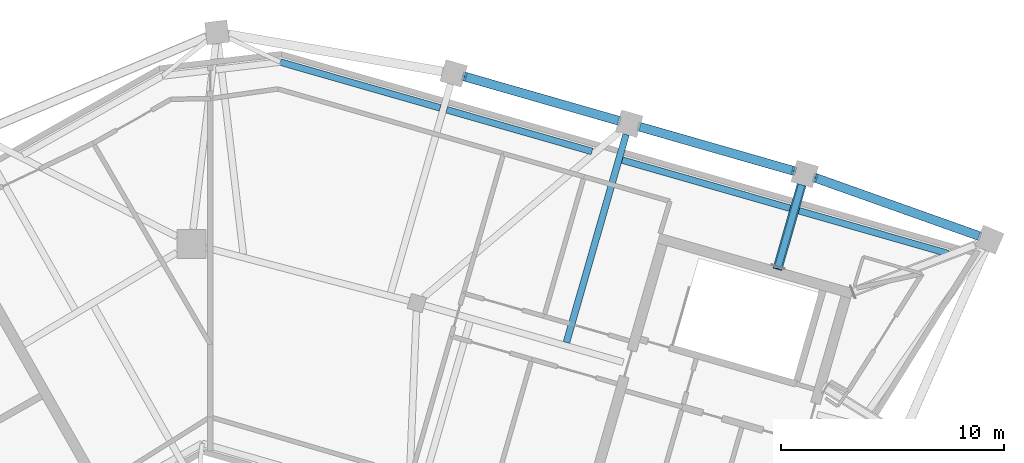
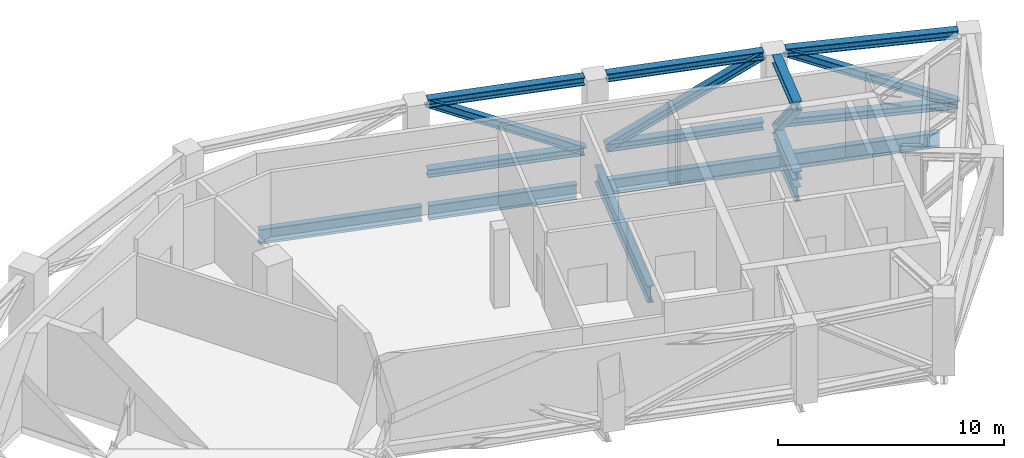
# One storey, part 4 of 13: 12 members, 6 beams.
"""IFC4 building model written with IfcOpenShell, lengths in metres."""

from ifc_helpers import new_model, si_unit, direction, frame, origin, origin_2d, place, context, subcontext, project, spatial, i_section, extrude, material, material_profile, profile_set, type_object, element, save


model = new_model("IFC4")

# Units and contexts
model_context = context("Model", 3, precision=1e-05, world=origin(), true_north=direction((0.0, 1.0)))
body_context = subcontext(model_context, "Body", "Model", "MODEL_VIEW")
ifc_project = project(units=[si_unit("LENGTHUNIT", "METRE"), si_unit("AREAUNIT", "SQUARE_METRE"), si_unit("VOLUMEUNIT", "CUBIC_METRE"), si_unit("PLANEANGLEUNIT", "RADIAN"), si_unit("MASSUNIT", "GRAM", prefix="KILO")], contexts=[model_context])

# Site, building, storey
site_placement = place(None, origin())
site = spatial("IfcSite", under=ifc_project, at=site_placement, CompositionType="ELEMENT")
building_placement = place(site_placement, origin())
building = spatial("IfcBuilding", under=site, at=building_placement, Name="Binnacle Exchange Tower", CompositionType="ELEMENT")
storey_placement = place(building_placement, frame((0.0, 0.0, 258.199951171875)))
storey = spatial("IfcBuildingStorey", under=building, at=storey_placement, Name="L57", CompositionType="ELEMENT", Elevation=258.199951171875)

# Members
ifc_material_1 = material(Name="Steel S355 (SHN355)", Category="steel")
ifc_material_profile_1 = material_profile(ifc_material_1, i_section(OverallWidth=0.406982421875, OverallDepth=0.427978515625, WebThickness=0.02001953125, FlangeThickness=0.034912109375, FilletRadius=0.02197265625, at=origin_2d()), Name="H 428x407x20x35")
ifc_profile_set_1 = profile_set([ifc_material_profile_1], Name="Steel S355 (SHN355)")
member_type_1 = type_object("IfcMemberType", Name="Belt truss chord BT57C H 428x407x20x35 Steel S355 (SHN355)", PredefinedType="CHORD", material=ifc_profile_set_1)
for number, where, z_axis, x_axis, name in (
    (1, (34.3984375, 60.3544921875, 4.006103515625), (-0.942323270608, 0.334704128553, 0.0), (-0.334704128553, -0.942323270608, 0.0), "S:TR:L57:BEL:031"),
    (2, (34.3984375, 60.3544921875, 0.214111328125), (-0.942323270608, 0.334704128553, 0.0), (-0.334704128553, -0.942323270608, 0.0), "S:TR:L57:BEL:032"),
):
    element("IfcMember", number, at=place(storey_placement, frame(where, z_axis=z_axis, x_axis=x_axis)), inside=storey, type_object=member_type_1, Name=name, PredefinedType="CHORD", context=body_context, shape_type="SweptSolid", body=[
        extrude(i_section(OverallWidth=0.406982421875, OverallDepth=0.427978515625, WebThickness=0.02001953125, FlangeThickness=0.034912109375, FilletRadius=0.02197265625, at=origin_2d()), origin(), (0.0, 0.0, 1.0), 7.77197265625),
    ])
for number, where, z_axis, x_axis, name in (
    (3, (26.1220703125, 63.26123046875, 4.006103515625), (-0.96126665508, 0.275620060647, 0.0), (-0.275620060647, -0.96126665508, 0.0), "S:TR:L57:BEL:034"),
    (4, (26.1220703125, 63.26123046875, 0.214111328125), (-0.96126665508, 0.275620060647, 0.0), (-0.275620060647, -0.96126665508, 0.0), "S:TR:L57:BEL:035"),
):
    element("IfcMember", number, at=place(storey_placement, frame(where, z_axis=z_axis, x_axis=x_axis)), inside=storey, type_object=member_type_1, Name=name, PredefinedType="CHORD", context=body_context, shape_type="SweptSolid", body=[
        extrude(i_section(OverallWidth=0.406982421875, OverallDepth=0.427978515625, WebThickness=0.02001953125, FlangeThickness=0.034912109375, FilletRadius=0.02197265625, at=origin_2d()), origin(), (0.0, 0.0, 1.0), 7.173095703125),
    ])
for number, where, z_axis, x_axis, name in (
    (5, (18.265625, 65.513916015625, 4.006103515625), (-0.961255050864, 0.275660528891, 0.0), (-0.275660528891, -0.961255050864, 0.0), "S:TR:L57:BEL:037"),
    (6, (18.265625, 65.513916015625, 0.214111328125), (-0.961255050864, 0.275660528891, 0.0), (-0.275660528891, -0.961255050864, 0.0), "S:TR:L57:BEL:038"),
):
    element("IfcMember", number, at=place(storey_placement, frame(where, z_axis=z_axis, x_axis=x_axis)), inside=storey, type_object=member_type_1, Name=name, PredefinedType="CHORD", context=body_context, shape_type="SweptSolid", body=[
        extrude(i_section(OverallWidth=0.406982421875, OverallDepth=0.427978515625, WebThickness=0.02001953125, FlangeThickness=0.034912109375, FilletRadius=0.02197265625, at=origin_2d()), origin(), (0.0, 0.0, 1.0), 7.1728515625),
    ])
ifc_material_profile_2 = material_profile(ifc_material_1, i_section(OverallWidth=0.39990234375, OverallDepth=0.39990234375, WebThickness=0.012939453125, FlangeThickness=0.02099609375, FilletRadius=0.02197265625, at=origin_2d()), Name="H 400x400x13x21")
ifc_profile_set_2 = profile_set([ifc_material_profile_2], Name="Steel S355 (SHN355)")
member_type_2 = type_object("IfcMemberType", Name="Belt truss diagonal BT57D H 400x400x13x21 Steel S355 (SHN355)", PredefinedType="BRACE", material=ifc_profile_set_2)
member_1_placement = place(storey_placement, frame((34.3984375, 60.3544921875, 0.214111328125), z_axis=(-0.846897108322, 0.300809676951, 0.438496095955), x_axis=(-0.334704128553, -0.942323270608, 0.0)))
element("IfcMember", 7, at=member_1_placement, inside=storey, type_object=member_type_2, Name="S:TR:L57:BEL:033", PredefinedType="BRACE", context=body_context, shape_type="SweptSolid", body=[
    extrude(i_section(OverallWidth=0.39990234375, OverallDepth=0.39990234375, WebThickness=0.012939453125, FlangeThickness=0.02099609375, FilletRadius=0.02197265625, at=origin_2d()), origin(), (0.0, 0.0, 1.0), 8.647705078125),
])
member_2_placement = place(storey_placement, frame((26.1220703125, 63.26123046875, 4.006103515625), z_axis=(-0.849826733193, 0.243667347144, -0.467355055056), x_axis=(-0.275620060647, -0.96126665508, 0.0)))
element("IfcMember", 8, at=member_2_placement, inside=storey, type_object=member_type_2, Name="S:TR:L57:BEL:036", PredefinedType="BRACE", context=body_context, shape_type="SweptSolid", body=[
    extrude(i_section(OverallWidth=0.39990234375, OverallDepth=0.39990234375, WebThickness=0.012939453125, FlangeThickness=0.02099609375, FilletRadius=0.02197265625, at=origin_2d()), origin(), (0.0, 0.0, 1.0), 8.11376953125),
])
member_3_placement = place(storey_placement, frame((18.265625, 65.513916015625, 0.214111328125), z_axis=(-0.849812142662, 0.243701881716, 0.467363579061), x_axis=(-0.275660528891, -0.961255050864, 0.0)))
element("IfcMember", 9, at=member_3_placement, inside=storey, type_object=member_type_2, Name="S:TR:L57:BEL:039", PredefinedType="BRACE", context=body_context, shape_type="SweptSolid", body=[
    extrude(i_section(OverallWidth=0.39990234375, OverallDepth=0.39990234375, WebThickness=0.012939453125, FlangeThickness=0.02099609375, FilletRadius=0.02197265625, at=origin_2d()), origin(), (0.0, 0.0, 1.0), 8.113525390625),
])

# Beams
ifc_material_profile_3 = material_profile(ifc_material_1, i_section(OverallWidth=0.300048828125, OverallDepth=0.800048828125, WebThickness=0.013916015625, FlangeThickness=0.02587890625, FilletRadius=0.028076171875, at=origin_2d()), Name="H 800x300x14x26")
ifc_profile_set_3 = profile_set([ifc_material_profile_3], Name="Steel S355 (SHN355)")
beam_type_1 = type_object("IfcBeamType", Name="Edge girder H 800x300x14x26 Steel S355 (SHN355)", PredefinedType="SPANDREL", material=ifc_profile_set_3)
beam_1_placement = place(storey_placement, frame((3.1298828125, 68.1376953125, -0.75), z_axis=(0.96125760514, -0.275651621726, 0.0), x_axis=(0.275651621726, 0.96125760514, 0.0)))
element("IfcBeam", 10, at=beam_1_placement, inside=storey, type_object=beam_type_1, Name="S:BM:edge:L57:029", PredefinedType="SPANDREL", context=body_context, shape_type="SweptSolid", body=[
    extrude(i_section(OverallWidth=0.300048828125, OverallDepth=0.800048828125, WebThickness=0.013916015625, FlangeThickness=0.02587890625, FilletRadius=0.028076171875, at=origin_2d()), origin(), (0.0, 0.0, 1.0), 7.449462890625),
])
beam_2_placement = place(storey_placement, frame((10.5791015625, 66.001708984375, -0.75), z_axis=(0.961253963763, -0.275664319689, 0.0), x_axis=(0.275664319689, 0.961253963763, 0.0)))
element("IfcBeam", 11, at=beam_2_placement, inside=storey, type_object=beam_type_1, Name="S:BM:edge:L57:031", PredefinedType="SPANDREL", context=body_context, shape_type="SweptSolid", body=[
    extrude(i_section(OverallWidth=0.300048828125, OverallDepth=0.800048828125, WebThickness=0.013916015625, FlangeThickness=0.02587890625, FilletRadius=0.028076171875, at=origin_2d()), origin(), (0.0, 0.0, 1.0), 6.76806640625),
])
beam_3_placement = place(storey_placement, frame((18.435546875, 63.748779296875, -0.75), z_axis=(0.961266079083, -0.275622069517, 0.0), x_axis=(0.275622069517, 0.961266079083, 0.0)))
element("IfcBeam", 12, at=beam_3_placement, inside=storey, type_object=beam_type_1, Name="S:BM:edge:L57:033", PredefinedType="SPANDREL", context=body_context, shape_type="SweptSolid", body=[
    extrude(i_section(OverallWidth=0.300048828125, OverallDepth=0.800048828125, WebThickness=0.013916015625, FlangeThickness=0.02587890625, FilletRadius=0.028076171875, at=origin_2d()), origin(), (0.0, 0.0, 1.0), 7.872802734375),
])
beam_4_placement = place(storey_placement, frame((26.2919921875, 61.49609375, -0.75), z_axis=(0.961255890252, -0.275657601845, 0.0), x_axis=(0.275657601845, 0.961255890252, 0.0)))
element("IfcBeam", 13, at=beam_4_placement, inside=storey, type_object=beam_type_1, Name="S:BM:edge:L57:035", PredefinedType="SPANDREL", context=body_context, shape_type="SweptSolid", body=[
    extrude(i_section(OverallWidth=0.300048828125, OverallDepth=0.800048828125, WebThickness=0.013916015625, FlangeThickness=0.02587890625, FilletRadius=0.028076171875, at=origin_2d()), origin(), (0.0, 0.0, 1.0), 6.98876953125),
])
ifc_material_profile_4 = material_profile(ifc_material_1, i_section(OverallWidth=0.300048828125, OverallDepth=0.800048828125, WebThickness=0.013916015625, FlangeThickness=0.02587890625, FilletRadius=0.028076171875, at=origin_2d()), Name="H 800x300x14x26")
ifc_profile_set_4 = profile_set([ifc_material_profile_4], Name="Steel S355 (SHN355)")
beam_type_2 = type_object("IfcBeamType", Name="Floor beam H 800x300x14x26 Steel S355 (SHN355)", PredefinedType="BEAM", material=ifc_profile_set_4)
beam_5_placement = place(storey_placement, frame((26.46484375, 62.642822265625, -0.75), z_axis=(-0.27564586602, -0.961259255636, 0.0), x_axis=(0.961259255636, -0.27564586602, 0.0)))
element("IfcBeam", 14, at=beam_5_placement, inside=storey, type_object=beam_type_2, Name="S:BM:cross:L57:061", PredefinedType="BEAM", context=body_context, shape_type="SweptSolid", body=[
    extrude(i_section(OverallWidth=0.300048828125, OverallDepth=0.800048828125, WebThickness=0.013916015625, FlangeThickness=0.02587890625, FilletRadius=0.028076171875, at=origin_2d()), origin(), (0.0, 0.0, 1.0), 3.835205078125),
])
ifc_material_profile_5 = material_profile(ifc_material_1, i_section(OverallWidth=0.302001953125, OverallDepth=0.912109375, WebThickness=0.01806640625, FlangeThickness=0.033935546875, FilletRadius=0.028076171875, at=origin_2d()), Name="H 912x302x18x34")
ifc_profile_set_5 = profile_set([ifc_material_profile_5], Name="Steel S355 (SHN355)")
beam_type_3 = type_object("IfcBeamType", Name="Floor beam H 912x302x18x34 Steel S355 (SHN355)", PredefinedType="BEAM", material=ifc_profile_set_5)
beam_6_placement = place(storey_placement, frame((18.6083984375, 64.8955078125, -0.805908203125), z_axis=(-0.275626599208, -0.961264780281, 0.0), x_axis=(0.961264780281, -0.275626599208, 0.0)))
element("IfcBeam", 15, at=beam_6_placement, inside=storey, type_object=beam_type_3, Name="S:BM:cross:L57:059", PredefinedType="BEAM", context=body_context, shape_type="SweptSolid", body=[
    extrude(i_section(OverallWidth=0.302001953125, OverallDepth=0.912109375, WebThickness=0.01806640625, FlangeThickness=0.033935546875, FilletRadius=0.028076171875, at=origin_2d()), origin(), (0.0, 0.0, 1.0), 9.68505859375),
])

# Members
ifc_material_2 = material(Name="Steel S460 (SHN460)", Category="steel")
ifc_material_profile_6 = material_profile(ifc_material_2, i_section(OverallWidth=0.4169921875, OverallDepth=0.4580078125, WebThickness=0.030029296875, FlangeThickness=0.050048828125, FilletRadius=0.02197265625, at=origin_2d()), Name="H 458x417x30x50")
ifc_profile_set_6 = profile_set([ifc_material_profile_6], Name="Steel S460 (SHN460)")
member_type_3 = type_object("IfcMemberType", Name="Outrigger truss chord OT57C H 458x417x30x50 Steel S460 (SHN460)", PredefinedType="CHORD", material=ifc_profile_set_6)
for number, where, z_axis, x_axis, name in (
    (16, (26.46484375, 62.642822265625, 3.990966796875), (-0.275647086325, -0.961258905707, 0.0), (0.961258905707, -0.275647086325, 0.0), "S:TR:L57:OUT:100"),
    (17, (26.46484375, 62.642822265625, 0.22900390625), (-0.275647086325, -0.961258905707, 0.0), (0.961258905707, -0.275647086325, 0.0), "S:TR:L57:OUT:101"),
):
    element("IfcMember", number, at=place(storey_placement, frame(where, z_axis=z_axis, x_axis=x_axis)), inside=storey, type_object=member_type_3, Name=name, PredefinedType="CHORD", context=body_context, shape_type="SweptSolid", body=[
        extrude(i_section(OverallWidth=0.4169921875, OverallDepth=0.4580078125, WebThickness=0.030029296875, FlangeThickness=0.050048828125, FilletRadius=0.02197265625, at=origin_2d()), origin(), (0.0, 0.0, 1.0), 3.795166015625),
    ])
ifc_material_profile_7 = material_profile(ifc_material_1, i_section(OverallWidth=0.405029296875, OverallDepth=0.4140625, WebThickness=0.01806640625, FlangeThickness=0.028076171875, FilletRadius=0.02197265625, at=origin_2d()), Name="H 414x405x18x28")
ifc_profile_set_7 = profile_set([ifc_material_profile_7], Name="Steel S355 (SHN355)")
member_type_4 = type_object("IfcMemberType", Name="Outrigger truss diagonal OT57D H 414x405x18x28 Steel S355 (SHN355)", PredefinedType="BRACE", material=ifc_profile_set_7)
member_4_placement = place(storey_placement, frame((26.46484375, 62.642822265625, 0.22900390625), z_axis=(-0.195767898038, -0.682697713042, 0.703987757496), x_axis=(0.961258905707, -0.275647086325, 0.0)))
element("IfcMember", 18, at=member_4_placement, inside=storey, type_object=member_type_4, Name="S:TR:L57:OUT:102", PredefinedType="BRACE", context=body_context, shape_type="SweptSolid", body=[
    extrude(i_section(OverallWidth=0.405029296875, OverallDepth=0.4140625, WebThickness=0.01806640625, FlangeThickness=0.028076171875, FilletRadius=0.02197265625, at=origin_2d()), origin(), (0.0, 0.0, 1.0), 5.34375),
])

save(model, "model.ifc")
